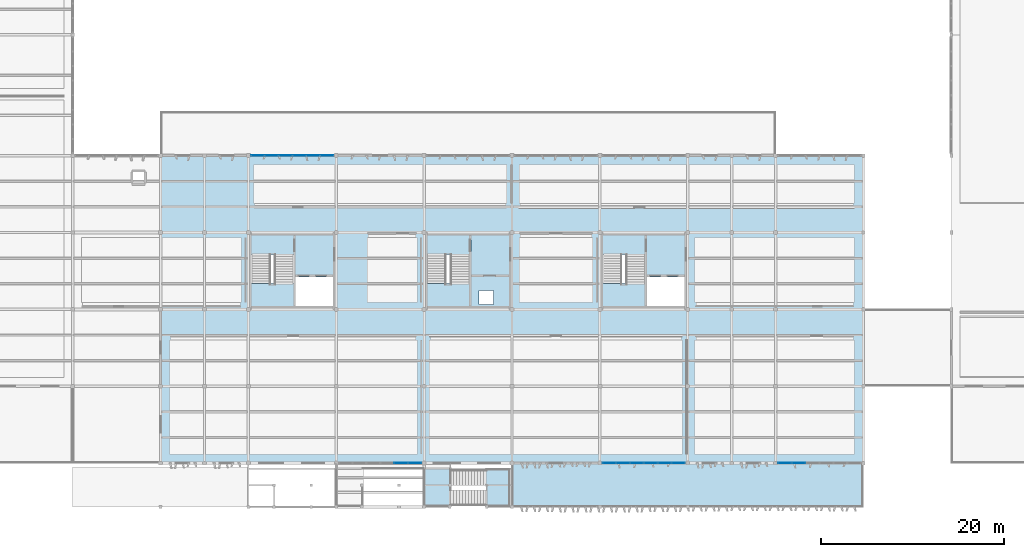
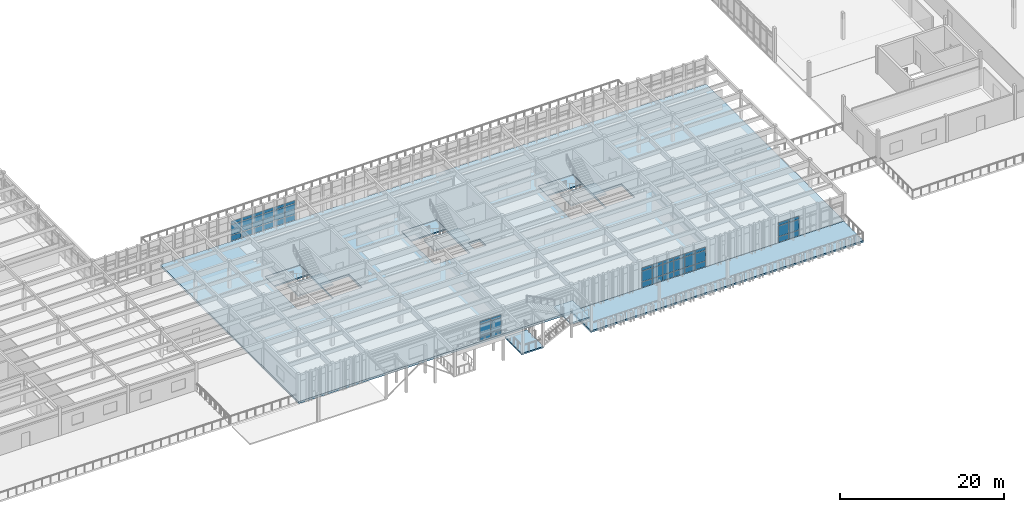
# One storey, part 31 of 61: 48 plates, 10 slabs, 8 elements without a shape of their own.
"""IFC4 building model written with IfcOpenShell, lengths in metres."""

from ifc_helpers import new_model, si_unit, direction, frame, origin, origin_2d, place, context, subcontext, project, spatial, polyline, rectangle, outline, extrude, material, layer, layer_set, type_object, element, aggregate, save


model = new_model("IFC4")

# Units and contexts
model_context = context("Model", 3, precision=1e-05, world=origin(), true_north=direction((0.0, 1.0)))
body_context = subcontext(model_context, "Body", "Model", "MODEL_VIEW")
ifc_project = project(units=[si_unit("LENGTHUNIT", "METRE"), si_unit("AREAUNIT", "SQUARE_METRE"), si_unit("VOLUMEUNIT", "CUBIC_METRE"), si_unit("PLANEANGLEUNIT", "RADIAN"), si_unit("MASSUNIT", "GRAM", prefix="KILO")], contexts=[model_context])

# Site, building, storey
site_placement = place(None, origin())
site = spatial("IfcSite", under=ifc_project, at=site_placement, CompositionType="ELEMENT")
building_placement = place(site_placement, origin())
building = spatial("IfcBuilding", under=site, at=building_placement, Name="Kolvemor Railside Polytechnic", CompositionType="ELEMENT")
storey_placement = place(building_placement, frame((0.0, 0.0, 10.199951171875)))
storey = spatial("IfcBuildingStorey", under=building, at=storey_placement, Name="L02", CompositionType="ELEMENT", Elevation=10.199951171875)

# Curtain wall, plates
ifc_material_1 = material(Name="Anodised marine aluminium and laminated low-E glass", Category="aluminium")
ifc_layer_1 = layer(ifc_material_1, 0.179931640625, Name="CW-UNIT-STD")
ifc_layer_set_1 = layer_set([ifc_layer_1], Name="Anodised marine aluminium and laminated low-E glass")
curtain_wall_type = type_object("IfcCurtainWallType", Name="CW-UNIT-STD", PredefinedType="USERDEFINED", material=ifc_layer_set_1)
curtain_wall_1_placement = place(storey_placement, origin())
curtain_wall_1 = element("IfcCurtainWall", 1, at=curtain_wall_1_placement, inside=storey, type_object=curtain_wall_type, Name="Curtain Wall L02-098", ObjectType="UNITISED CURTAIN WALL", PredefinedType="USERDEFINED")
ifc_material_2 = material(Name="Hurricane-laminated solar-control low-E glass", Category="glass")
ifc_layer_2 = layer(ifc_material_2, 0.033935546875, Name="CWP-GLZ-07")
ifc_layer_set_2 = layer_set([ifc_layer_2], Name="Hurricane-laminated solar-control low-E glass")
plate_type_1 = type_object("IfcPlateType", Name="CWP-GLZ-07", PredefinedType="CURTAIN_PANEL", material=ifc_layer_set_2)
plate_1_placement = place(storey_placement, frame((83.8798828125, 4.800048828125, 0.074951171875), z_axis=(0.0, 0.0, 1.0), x_axis=(1.0, 0.0, 0.0)))
plate_1 = element("IfcPlate", 2, at=plate_1_placement, type_object=plate_type_1, Name="CW-STD panel 5.1", PredefinedType="CURTAIN_PANEL", context=body_context, shape_type="SweptSolid", body=[
    extrude(rectangle(XDim=1.445068359375, YDim=0.033935546875, at=origin_2d()), origin(), (0.0, 0.0, 1.0), 0.78759765625),
])
plate_2_placement = place(storey_placement, frame((83.8798828125, 4.800048828125, 0.9375), z_axis=(0.0, 0.0, 1.0), x_axis=(1.0, 0.0, 0.0)))
plate_2 = element("IfcPlate", 3, at=plate_2_placement, type_object=plate_type_1, Name="CW-STD panel 5.2", PredefinedType="CURTAIN_PANEL", context=body_context, shape_type="SweptSolid", body=[
    extrude(rectangle(XDim=1.445068359375, YDim=0.033935546875, at=origin_2d()), origin(), (0.0, 0.0, 1.0), 1.52490234375),
])
plate_3_placement = place(storey_placement, frame((83.8798828125, 4.800048828125, 2.53759765625), z_axis=(0.0, 0.0, 1.0), x_axis=(1.0, 0.0, 0.0)))
plate_3 = element("IfcPlate", 4, at=plate_3_placement, type_object=plate_type_1, Name="CW-STD panel 5.3", PredefinedType="CURTAIN_PANEL", context=body_context, shape_type="SweptSolid", body=[
    extrude(rectangle(XDim=1.445068359375, YDim=0.033935546875, at=origin_2d()), origin(), (0.0, 0.0, 1.0), 0.4375),
])
plate_4_placement = place(storey_placement, frame((85.38134765625, 4.800048828125, 0.074951171875), z_axis=(0.0, 0.0, 1.0), x_axis=(1.0, 0.0, 0.0)))
plate_4 = element("IfcPlate", 5, at=plate_4_placement, type_object=plate_type_1, Name="CW-STD panel 6.1", PredefinedType="CURTAIN_PANEL", context=body_context, shape_type="SweptSolid", body=[
    extrude(rectangle(XDim=1.407470703125, YDim=0.033935546875, at=origin_2d()), origin(), (0.0, 0.0, 1.0), 0.78759765625),
])
plate_5_placement = place(storey_placement, frame((85.38134765625, 4.800048828125, 0.9375), z_axis=(0.0, 0.0, 1.0), x_axis=(1.0, 0.0, 0.0)))
plate_5 = element("IfcPlate", 6, at=plate_5_placement, type_object=plate_type_1, Name="CW-STD panel 6.2", PredefinedType="CURTAIN_PANEL", context=body_context, shape_type="SweptSolid", body=[
    extrude(rectangle(XDim=1.407470703125, YDim=0.033935546875, at=origin_2d()), origin(), (0.0, 0.0, 1.0), 1.52490234375),
])
plate_6_placement = place(storey_placement, frame((85.38134765625, 4.800048828125, 2.53759765625), z_axis=(0.0, 0.0, 1.0), x_axis=(1.0, 0.0, 0.0)))
plate_6 = element("IfcPlate", 7, at=plate_6_placement, type_object=plate_type_1, Name="CW-STD panel 6.3", PredefinedType="CURTAIN_PANEL", context=body_context, shape_type="SweptSolid", body=[
    extrude(rectangle(XDim=1.407470703125, YDim=0.033935546875, at=origin_2d()), origin(), (0.0, 0.0, 1.0), 0.4375),
])
aggregate(curtain_wall_1, [plate_1, plate_2, plate_3, plate_4, plate_5, plate_6])

curtain_wall_2_placement = place(storey_placement, origin())
curtain_wall_2 = element("IfcCurtainWall", 8, at=curtain_wall_2_placement, inside=storey, type_object=curtain_wall_type, Name="Curtain Wall L02-121", ObjectType="UNITISED CURTAIN WALL", PredefinedType="USERDEFINED")
plate_7_placement = place(storey_placement, frame((75.78369140625, 38.39990234375, 0.06494140625), z_axis=(0.0, 0.0, 1.0), x_axis=(-1.0, 0.0, 0.0)))
plate_7 = element("IfcPlate", 9, at=plate_7_placement, type_object=plate_type_1, Name="CW-STD panel 1.1", PredefinedType="CURTAIN_PANEL", context=body_context, shape_type="SweptSolid", body=[
    extrude(rectangle(XDim=1.422607421875, YDim=0.033935546875, at=origin_2d()), origin(), (0.0, 0.0, 1.0), 0.802490234375),
])
plate_8_placement = place(storey_placement, frame((75.78369140625, 38.39990234375, 0.9326171875), z_axis=(0.0, 0.0, 1.0), x_axis=(-1.0, 0.0, 0.0)))
plate_8 = element("IfcPlate", 10, at=plate_8_placement, type_object=plate_type_1, Name="CW-STD panel 1.2", PredefinedType="CURTAIN_PANEL", context=body_context, shape_type="SweptSolid", body=[
    extrude(rectangle(XDim=1.422607421875, YDim=0.033935546875, at=origin_2d()), origin(), (0.0, 0.0, 1.0), 1.534912109375),
])
plate_9_placement = place(storey_placement, frame((75.78369140625, 38.39990234375, 2.53271484375), z_axis=(0.0, 0.0, 1.0), x_axis=(-1.0, 0.0, 0.0)))
plate_9 = element("IfcPlate", 11, at=plate_9_placement, type_object=plate_type_1, Name="CW-STD panel 1.3", PredefinedType="CURTAIN_PANEL", context=body_context, shape_type="SweptSolid", body=[
    extrude(rectangle(XDim=1.422607421875, YDim=0.033935546875, at=origin_2d()), origin(), (0.0, 0.0, 1.0), 0.452392578125),
])
plate_10_placement = place(storey_placement, frame((74.280029296875, 38.39990234375, 0.06494140625), z_axis=(0.0, 0.0, 1.0), x_axis=(-1.0, 0.0, 0.0)))
plate_10 = element("IfcPlate", 12, at=plate_10_placement, type_object=plate_type_1, Name="CW-STD panel 2.1", PredefinedType="CURTAIN_PANEL", context=body_context, shape_type="SweptSolid", body=[
    extrude(rectangle(XDim=1.455078125, YDim=0.033935546875, at=origin_2d()), origin(), (0.0, 0.0, 1.0), 0.802490234375),
])
plate_11_placement = place(storey_placement, frame((74.280029296875, 38.39990234375, 0.9326171875), z_axis=(0.0, 0.0, 1.0), x_axis=(-1.0, 0.0, 0.0)))
plate_11 = element("IfcPlate", 13, at=plate_11_placement, type_object=plate_type_1, Name="CW-STD panel 2.2", PredefinedType="CURTAIN_PANEL", context=body_context, shape_type="SweptSolid", body=[
    extrude(rectangle(XDim=1.455078125, YDim=0.033935546875, at=origin_2d()), origin(), (0.0, 0.0, 1.0), 1.534912109375),
])
plate_12_placement = place(storey_placement, frame((74.280029296875, 38.39990234375, 2.53271484375), z_axis=(0.0, 0.0, 1.0), x_axis=(-1.0, 0.0, 0.0)))
plate_12 = element("IfcPlate", 14, at=plate_12_placement, type_object=plate_type_1, Name="CW-STD panel 2.3", PredefinedType="CURTAIN_PANEL", context=body_context, shape_type="SweptSolid", body=[
    extrude(rectangle(XDim=1.455078125, YDim=0.033935546875, at=origin_2d()), origin(), (0.0, 0.0, 1.0), 0.452392578125),
])
plate_13_placement = place(storey_placement, frame((72.760009765625, 38.39990234375, 0.06494140625), z_axis=(0.0, 0.0, 1.0), x_axis=(-1.0, 0.0, 0.0)))
plate_13 = element("IfcPlate", 15, at=plate_13_placement, type_object=plate_type_1, Name="CW-STD panel 3.1", PredefinedType="CURTAIN_PANEL", context=body_context, shape_type="SweptSolid", body=[
    extrude(rectangle(XDim=1.455078125, YDim=0.033935546875, at=origin_2d()), origin(), (0.0, 0.0, 1.0), 0.802490234375),
])
plate_14_placement = place(storey_placement, frame((72.760009765625, 38.39990234375, 0.9326171875), z_axis=(0.0, 0.0, 1.0), x_axis=(-1.0, 0.0, 0.0)))
plate_14 = element("IfcPlate", 16, at=plate_14_placement, type_object=plate_type_1, Name="CW-STD panel 3.2", PredefinedType="CURTAIN_PANEL", context=body_context, shape_type="SweptSolid", body=[
    extrude(rectangle(XDim=1.455078125, YDim=0.033935546875, at=origin_2d()), origin(), (0.0, 0.0, 1.0), 1.534912109375),
])
plate_15_placement = place(storey_placement, frame((72.760009765625, 38.39990234375, 2.53271484375), z_axis=(0.0, 0.0, 1.0), x_axis=(-1.0, 0.0, 0.0)))
plate_15 = element("IfcPlate", 17, at=plate_15_placement, type_object=plate_type_1, Name="CW-STD panel 3.3", PredefinedType="CURTAIN_PANEL", context=body_context, shape_type="SweptSolid", body=[
    extrude(rectangle(XDim=1.455078125, YDim=0.033935546875, at=origin_2d()), origin(), (0.0, 0.0, 1.0), 0.452392578125),
])
plate_16_placement = place(storey_placement, frame((71.239990234375, 38.39990234375, 0.06494140625), z_axis=(0.0, 0.0, 1.0), x_axis=(-1.0, 0.0, 0.0)))
plate_16 = element("IfcPlate", 18, at=plate_16_placement, type_object=plate_type_1, Name="CW-STD panel 4.1", PredefinedType="CURTAIN_PANEL", context=body_context, shape_type="SweptSolid", body=[
    extrude(rectangle(XDim=1.455078125, YDim=0.033935546875, at=origin_2d()), origin(), (0.0, 0.0, 1.0), 0.802490234375),
])
plate_17_placement = place(storey_placement, frame((71.239990234375, 38.39990234375, 0.9326171875), z_axis=(0.0, 0.0, 1.0), x_axis=(-1.0, 0.0, 0.0)))
plate_17 = element("IfcPlate", 19, at=plate_17_placement, type_object=plate_type_1, Name="CW-STD panel 4.2", PredefinedType="CURTAIN_PANEL", context=body_context, shape_type="SweptSolid", body=[
    extrude(rectangle(XDim=1.455078125, YDim=0.033935546875, at=origin_2d()), origin(), (0.0, 0.0, 1.0), 1.534912109375),
])
plate_18_placement = place(storey_placement, frame((71.239990234375, 38.39990234375, 2.53271484375), z_axis=(0.0, 0.0, 1.0), x_axis=(-1.0, 0.0, 0.0)))
plate_18 = element("IfcPlate", 20, at=plate_18_placement, type_object=plate_type_1, Name="CW-STD panel 4.3", PredefinedType="CURTAIN_PANEL", context=body_context, shape_type="SweptSolid", body=[
    extrude(rectangle(XDim=1.455078125, YDim=0.033935546875, at=origin_2d()), origin(), (0.0, 0.0, 1.0), 0.452392578125),
])
plate_19_placement = place(storey_placement, frame((69.719970703125, 38.39990234375, 0.06494140625), z_axis=(0.0, 0.0, 1.0), x_axis=(-1.0, 0.0, 0.0)))
plate_19 = element("IfcPlate", 21, at=plate_19_placement, type_object=plate_type_1, Name="CW-STD panel 5.1", PredefinedType="CURTAIN_PANEL", context=body_context, shape_type="SweptSolid", body=[
    extrude(rectangle(XDim=1.455078125, YDim=0.033935546875, at=origin_2d()), origin(), (0.0, 0.0, 1.0), 0.802490234375),
])
plate_20_placement = place(storey_placement, frame((69.719970703125, 38.39990234375, 0.9326171875), z_axis=(0.0, 0.0, 1.0), x_axis=(-1.0, 0.0, 0.0)))
plate_20 = element("IfcPlate", 22, at=plate_20_placement, type_object=plate_type_1, Name="CW-STD panel 5.2", PredefinedType="CURTAIN_PANEL", context=body_context, shape_type="SweptSolid", body=[
    extrude(rectangle(XDim=1.455078125, YDim=0.033935546875, at=origin_2d()), origin(), (0.0, 0.0, 1.0), 1.534912109375),
])
plate_21_placement = place(storey_placement, frame((69.719970703125, 38.39990234375, 2.53271484375), z_axis=(0.0, 0.0, 1.0), x_axis=(-1.0, 0.0, 0.0)))
plate_21 = element("IfcPlate", 23, at=plate_21_placement, type_object=plate_type_1, Name="CW-STD panel 5.3", PredefinedType="CURTAIN_PANEL", context=body_context, shape_type="SweptSolid", body=[
    extrude(rectangle(XDim=1.455078125, YDim=0.033935546875, at=origin_2d()), origin(), (0.0, 0.0, 1.0), 0.452392578125),
])
plate_22_placement = place(storey_placement, frame((68.21630859375, 38.39990234375, 0.06494140625), z_axis=(0.0, 0.0, 1.0), x_axis=(-1.0, 0.0, 0.0)))
plate_22 = element("IfcPlate", 24, at=plate_22_placement, type_object=plate_type_1, Name="CW-STD panel 6.1", PredefinedType="CURTAIN_PANEL", context=body_context, shape_type="SweptSolid", body=[
    extrude(rectangle(XDim=1.422607421875, YDim=0.033935546875, at=origin_2d()), origin(), (0.0, 0.0, 1.0), 0.802490234375),
])
plate_23_placement = place(storey_placement, frame((68.21630859375, 38.39990234375, 0.9326171875), z_axis=(0.0, 0.0, 1.0), x_axis=(-1.0, 0.0, 0.0)))
plate_23 = element("IfcPlate", 25, at=plate_23_placement, type_object=plate_type_1, Name="CW-STD panel 6.2", PredefinedType="CURTAIN_PANEL", context=body_context, shape_type="SweptSolid", body=[
    extrude(rectangle(XDim=1.422607421875, YDim=0.033935546875, at=origin_2d()), origin(), (0.0, 0.0, 1.0), 1.534912109375),
])
plate_24_placement = place(storey_placement, frame((68.21630859375, 38.39990234375, 2.53271484375), z_axis=(0.0, 0.0, 1.0), x_axis=(-1.0, 0.0, 0.0)))
plate_24 = element("IfcPlate", 26, at=plate_24_placement, type_object=plate_type_1, Name="CW-STD panel 6.3", PredefinedType="CURTAIN_PANEL", context=body_context, shape_type="SweptSolid", body=[
    extrude(rectangle(XDim=1.422607421875, YDim=0.033935546875, at=origin_2d()), origin(), (0.0, 0.0, 1.0), 0.452392578125),
])
aggregate(curtain_wall_2, [plate_7, plate_8, plate_9, plate_10, plate_11, plate_12, plate_13, plate_14, plate_15, plate_16, plate_17, plate_18, plate_19, plate_20, plate_21, plate_22, plate_23, plate_24])

curtain_wall_3_placement = place(storey_placement, origin())
curtain_wall_3 = element("IfcCurtainWall", 27, at=curtain_wall_3_placement, inside=storey, type_object=curtain_wall_type, Name="Curtain Wall L02-099", ObjectType="UNITISED CURTAIN WALL", PredefinedType="USERDEFINED")
ifc_material_3 = material(Name="Hurricane-laminated solar-control low-E glass", Category="glass")
ifc_layer_3 = layer(ifc_material_3, 0.0400390625, Name="CWP-GLZ-10")
ifc_layer_set_3 = layer_set([ifc_layer_3], Name="Hurricane-laminated solar-control low-E glass")
plate_type_2 = type_object("IfcPlateType", Name="CWP-GLZ-10", PredefinedType="CURTAIN_PANEL", material=ifc_layer_set_3)
plate_25_placement = place(storey_placement, frame((106.61865234375, 4.800048828125, 0.074951171875), z_axis=(0.0, 0.0, 1.0), x_axis=(1.0, 0.0, 0.0)))
plate_25 = element("IfcPlate", 28, at=plate_25_placement, type_object=plate_type_2, Name="CW-STD panel 1.1", PredefinedType="CURTAIN_PANEL", context=body_context, shape_type="SweptSolid", body=[
    extrude(rectangle(XDim=1.407470703125, YDim=0.0400390625, at=origin_2d()), origin(), (0.0, 0.0, 1.0), 0.78759765625),
])
plate_26_placement = place(storey_placement, frame((106.61865234375, 4.800048828125, 0.9375), z_axis=(0.0, 0.0, 1.0), x_axis=(1.0, 0.0, 0.0)))
plate_26 = element("IfcPlate", 29, at=plate_26_placement, type_object=plate_type_2, Name="CW-STD panel 1.2", PredefinedType="CURTAIN_PANEL", context=body_context, shape_type="SweptSolid", body=[
    extrude(rectangle(XDim=1.407470703125, YDim=0.0400390625, at=origin_2d()), origin(), (0.0, 0.0, 1.0), 1.52490234375),
])
plate_27_placement = place(storey_placement, frame((106.61865234375, 4.800048828125, 2.53759765625), z_axis=(0.0, 0.0, 1.0), x_axis=(1.0, 0.0, 0.0)))
plate_27 = element("IfcPlate", 30, at=plate_27_placement, type_object=plate_type_2, Name="CW-STD panel 1.3", PredefinedType="CURTAIN_PANEL", context=body_context, shape_type="SweptSolid", body=[
    extrude(rectangle(XDim=1.407470703125, YDim=0.0400390625, at=origin_2d()), origin(), (0.0, 0.0, 1.0), 0.4375),
])
plate_28_placement = place(storey_placement, frame((108.1201171875, 4.800048828125, 0.074951171875), z_axis=(0.0, 0.0, 1.0), x_axis=(1.0, 0.0, 0.0)))
plate_28 = element("IfcPlate", 31, at=plate_28_placement, type_object=plate_type_2, Name="CW-STD panel 2.1", PredefinedType="CURTAIN_PANEL", context=body_context, shape_type="SweptSolid", body=[
    extrude(rectangle(XDim=1.445068359375, YDim=0.0400390625, at=origin_2d()), origin(), (0.0, 0.0, 1.0), 0.78759765625),
])
plate_29_placement = place(storey_placement, frame((108.1201171875, 4.800048828125, 0.9375), z_axis=(0.0, 0.0, 1.0), x_axis=(1.0, 0.0, 0.0)))
plate_29 = element("IfcPlate", 32, at=plate_29_placement, type_object=plate_type_2, Name="CW-STD panel 2.2", PredefinedType="CURTAIN_PANEL", context=body_context, shape_type="SweptSolid", body=[
    extrude(rectangle(XDim=1.445068359375, YDim=0.0400390625, at=origin_2d()), origin(), (0.0, 0.0, 1.0), 1.52490234375),
])
plate_30_placement = place(storey_placement, frame((108.1201171875, 4.800048828125, 2.53759765625), z_axis=(0.0, 0.0, 1.0), x_axis=(1.0, 0.0, 0.0)))
plate_30 = element("IfcPlate", 33, at=plate_30_placement, type_object=plate_type_2, Name="CW-STD panel 2.3", PredefinedType="CURTAIN_PANEL", context=body_context, shape_type="SweptSolid", body=[
    extrude(rectangle(XDim=1.445068359375, YDim=0.0400390625, at=origin_2d()), origin(), (0.0, 0.0, 1.0), 0.4375),
])
plate_31_placement = place(storey_placement, frame((109.639892578125, 4.800048828125, 0.074951171875), z_axis=(0.0, 0.0, 1.0), x_axis=(1.0, 0.0, 0.0)))
plate_31 = element("IfcPlate", 34, at=plate_31_placement, type_object=plate_type_2, Name="CW-STD panel 3.1", PredefinedType="CURTAIN_PANEL", context=body_context, shape_type="SweptSolid", body=[
    extrude(rectangle(XDim=1.445068359375, YDim=0.0400390625, at=origin_2d()), origin(), (0.0, 0.0, 1.0), 0.78759765625),
])
plate_32_placement = place(storey_placement, frame((109.639892578125, 4.800048828125, 0.9375), z_axis=(0.0, 0.0, 1.0), x_axis=(1.0, 0.0, 0.0)))
plate_32 = element("IfcPlate", 35, at=plate_32_placement, type_object=plate_type_2, Name="CW-STD panel 3.2", PredefinedType="CURTAIN_PANEL", context=body_context, shape_type="SweptSolid", body=[
    extrude(rectangle(XDim=1.445068359375, YDim=0.0400390625, at=origin_2d()), origin(), (0.0, 0.0, 1.0), 1.52490234375),
])
plate_33_placement = place(storey_placement, frame((109.639892578125, 4.800048828125, 2.53759765625), z_axis=(0.0, 0.0, 1.0), x_axis=(1.0, 0.0, 0.0)))
plate_33 = element("IfcPlate", 36, at=plate_33_placement, type_object=plate_type_2, Name="CW-STD panel 3.3", PredefinedType="CURTAIN_PANEL", context=body_context, shape_type="SweptSolid", body=[
    extrude(rectangle(XDim=1.445068359375, YDim=0.0400390625, at=origin_2d()), origin(), (0.0, 0.0, 1.0), 0.4375),
])
plate_34_placement = place(storey_placement, frame((111.159912109375, 4.800048828125, 0.074951171875), z_axis=(0.0, 0.0, 1.0), x_axis=(1.0, 0.0, 0.0)))
plate_34 = element("IfcPlate", 37, at=plate_34_placement, type_object=plate_type_2, Name="CW-STD panel 4.1", PredefinedType="CURTAIN_PANEL", context=body_context, shape_type="SweptSolid", body=[
    extrude(rectangle(XDim=1.445068359375, YDim=0.0400390625, at=origin_2d()), origin(), (0.0, 0.0, 1.0), 0.78759765625),
])
plate_35_placement = place(storey_placement, frame((111.159912109375, 4.800048828125, 0.9375), z_axis=(0.0, 0.0, 1.0), x_axis=(1.0, 0.0, 0.0)))
plate_35 = element("IfcPlate", 38, at=plate_35_placement, type_object=plate_type_2, Name="CW-STD panel 4.2", PredefinedType="CURTAIN_PANEL", context=body_context, shape_type="SweptSolid", body=[
    extrude(rectangle(XDim=1.445068359375, YDim=0.0400390625, at=origin_2d()), origin(), (0.0, 0.0, 1.0), 1.52490234375),
])
plate_36_placement = place(storey_placement, frame((111.159912109375, 4.800048828125, 2.53759765625), z_axis=(0.0, 0.0, 1.0), x_axis=(1.0, 0.0, 0.0)))
plate_36 = element("IfcPlate", 39, at=plate_36_placement, type_object=plate_type_2, Name="CW-STD panel 4.3", PredefinedType="CURTAIN_PANEL", context=body_context, shape_type="SweptSolid", body=[
    extrude(rectangle(XDim=1.445068359375, YDim=0.0400390625, at=origin_2d()), origin(), (0.0, 0.0, 1.0), 0.4375),
])
plate_37_placement = place(storey_placement, frame((112.679931640625, 4.800048828125, 0.074951171875), z_axis=(0.0, 0.0, 1.0), x_axis=(1.0, 0.0, 0.0)))
plate_37 = element("IfcPlate", 40, at=plate_37_placement, type_object=plate_type_2, Name="CW-STD panel 5.1", PredefinedType="CURTAIN_PANEL", context=body_context, shape_type="SweptSolid", body=[
    extrude(rectangle(XDim=1.445068359375, YDim=0.0400390625, at=origin_2d()), origin(), (0.0, 0.0, 1.0), 0.78759765625),
])
plate_38_placement = place(storey_placement, frame((112.679931640625, 4.800048828125, 0.9375), z_axis=(0.0, 0.0, 1.0), x_axis=(1.0, 0.0, 0.0)))
plate_38 = element("IfcPlate", 41, at=plate_38_placement, type_object=plate_type_2, Name="CW-STD panel 5.2", PredefinedType="CURTAIN_PANEL", context=body_context, shape_type="SweptSolid", body=[
    extrude(rectangle(XDim=1.445068359375, YDim=0.0400390625, at=origin_2d()), origin(), (0.0, 0.0, 1.0), 1.52490234375),
])
plate_39_placement = place(storey_placement, frame((112.679931640625, 4.800048828125, 2.53759765625), z_axis=(0.0, 0.0, 1.0), x_axis=(1.0, 0.0, 0.0)))
plate_39 = element("IfcPlate", 42, at=plate_39_placement, type_object=plate_type_2, Name="CW-STD panel 5.3", PredefinedType="CURTAIN_PANEL", context=body_context, shape_type="SweptSolid", body=[
    extrude(rectangle(XDim=1.445068359375, YDim=0.0400390625, at=origin_2d()), origin(), (0.0, 0.0, 1.0), 0.4375),
])
plate_40_placement = place(storey_placement, frame((114.18115234375, 4.800048828125, 0.074951171875), z_axis=(0.0, 0.0, 1.0), x_axis=(1.0, 0.0, 0.0)))
plate_40 = element("IfcPlate", 43, at=plate_40_placement, type_object=plate_type_2, Name="CW-STD panel 6.1", PredefinedType="CURTAIN_PANEL", context=body_context, shape_type="SweptSolid", body=[
    extrude(rectangle(XDim=1.407470703125, YDim=0.0400390625, at=origin_2d()), origin(), (0.0, 0.0, 1.0), 0.78759765625),
])
plate_41_placement = place(storey_placement, frame((114.18115234375, 4.800048828125, 0.9375), z_axis=(0.0, 0.0, 1.0), x_axis=(1.0, 0.0, 0.0)))
plate_41 = element("IfcPlate", 44, at=plate_41_placement, type_object=plate_type_2, Name="CW-STD panel 6.2", PredefinedType="CURTAIN_PANEL", context=body_context, shape_type="SweptSolid", body=[
    extrude(rectangle(XDim=1.407470703125, YDim=0.0400390625, at=origin_2d()), origin(), (0.0, 0.0, 1.0), 1.52490234375),
])
plate_42_placement = place(storey_placement, frame((114.18115234375, 4.800048828125, 2.53759765625), z_axis=(0.0, 0.0, 1.0), x_axis=(1.0, 0.0, 0.0)))
plate_42 = element("IfcPlate", 45, at=plate_42_placement, type_object=plate_type_2, Name="CW-STD panel 6.3", PredefinedType="CURTAIN_PANEL", context=body_context, shape_type="SweptSolid", body=[
    extrude(rectangle(XDim=1.407470703125, YDim=0.0400390625, at=origin_2d()), origin(), (0.0, 0.0, 1.0), 0.4375),
])
aggregate(curtain_wall_3, [plate_25, plate_26, plate_27, plate_28, plate_29, plate_30, plate_31, plate_32, plate_33, plate_34, plate_35, plate_36, plate_37, plate_38, plate_39, plate_40, plate_41, plate_42])

curtain_wall_4_placement = place(storey_placement, origin())
curtain_wall_4 = element("IfcCurtainWall", 46, at=curtain_wall_4_placement, inside=storey, type_object=curtain_wall_type, Name="Curtain Wall L02-100", ObjectType="UNITISED CURTAIN WALL", PredefinedType="USERDEFINED")
ifc_material_4 = material(Name="Hurricane-laminated solar-control low-E glass", Category="glass")
ifc_layer_4 = layer(ifc_material_4, 0.0458984375, Name="CWP-GLZ-13")
ifc_layer_set_4 = layer_set([ifc_layer_4], Name="Hurricane-laminated solar-control low-E glass")
plate_type_3 = type_object("IfcPlateType", Name="CWP-GLZ-13", PredefinedType="CURTAIN_PANEL", material=ifc_layer_set_4)
plate_43_placement = place(storey_placement, frame((125.81884765625, 4.800048828125, 0.074951171875), z_axis=(0.0, 0.0, 1.0), x_axis=(1.0, 0.0, 0.0)))
plate_43 = element("IfcPlate", 47, at=plate_43_placement, type_object=plate_type_3, Name="CW-STD panel 1.1", PredefinedType="CURTAIN_PANEL", context=body_context, shape_type="SweptSolid", body=[
    extrude(rectangle(XDim=1.407470703125, YDim=0.0458984375, at=origin_2d()), origin(), (0.0, 0.0, 1.0), 0.78759765625),
])
plate_44_placement = place(storey_placement, frame((125.81884765625, 4.800048828125, 0.9375), z_axis=(0.0, 0.0, 1.0), x_axis=(1.0, 0.0, 0.0)))
plate_44 = element("IfcPlate", 48, at=plate_44_placement, type_object=plate_type_3, Name="CW-STD panel 1.2", PredefinedType="CURTAIN_PANEL", context=body_context, shape_type="SweptSolid", body=[
    extrude(rectangle(XDim=1.407470703125, YDim=0.0458984375, at=origin_2d()), origin(), (0.0, 0.0, 1.0), 1.52490234375),
])
plate_45_placement = place(storey_placement, frame((125.81884765625, 4.800048828125, 2.53759765625), z_axis=(0.0, 0.0, 1.0), x_axis=(1.0, 0.0, 0.0)))
plate_45 = element("IfcPlate", 49, at=plate_45_placement, type_object=plate_type_3, Name="CW-STD panel 1.3", PredefinedType="CURTAIN_PANEL", context=body_context, shape_type="SweptSolid", body=[
    extrude(rectangle(XDim=1.407470703125, YDim=0.0458984375, at=origin_2d()), origin(), (0.0, 0.0, 1.0), 0.4375),
])
plate_46_placement = place(storey_placement, frame((127.320068359375, 4.800048828125, 0.074951171875), z_axis=(0.0, 0.0, 1.0), x_axis=(1.0, 0.0, 0.0)))
plate_46 = element("IfcPlate", 50, at=plate_46_placement, type_object=plate_type_3, Name="CW-STD panel 2.1", PredefinedType="CURTAIN_PANEL", context=body_context, shape_type="SweptSolid", body=[
    extrude(rectangle(XDim=1.445068359375, YDim=0.0458984375, at=origin_2d()), origin(), (0.0, 0.0, 1.0), 0.78759765625),
])
plate_47_placement = place(storey_placement, frame((127.320068359375, 4.800048828125, 0.9375), z_axis=(0.0, 0.0, 1.0), x_axis=(1.0, 0.0, 0.0)))
plate_47 = element("IfcPlate", 51, at=plate_47_placement, type_object=plate_type_3, Name="CW-STD panel 2.2", PredefinedType="CURTAIN_PANEL", context=body_context, shape_type="SweptSolid", body=[
    extrude(rectangle(XDim=1.445068359375, YDim=0.0458984375, at=origin_2d()), origin(), (0.0, 0.0, 1.0), 1.52490234375),
])
plate_48_placement = place(storey_placement, frame((127.320068359375, 4.800048828125, 2.53759765625), z_axis=(0.0, 0.0, 1.0), x_axis=(1.0, 0.0, 0.0)))
plate_48 = element("IfcPlate", 52, at=plate_48_placement, type_object=plate_type_3, Name="CW-STD panel 2.3", PredefinedType="CURTAIN_PANEL", context=body_context, shape_type="SweptSolid", body=[
    extrude(rectangle(XDim=1.445068359375, YDim=0.0458984375, at=origin_2d()), origin(), (0.0, 0.0, 1.0), 0.4375),
])
aggregate(curtain_wall_4, [plate_43, plate_44, plate_45, plate_46, plate_47, plate_48])

# Slab
ifc_material_5 = material(Name="Concrete C40/50", Category="concrete")
ifc_layer_5 = layer(ifc_material_5, 0.219970703125, Name="SLB-LND-170")
ifc_layer_set_5 = layer_set([ifc_layer_5], Name="Concrete C40/50")
slab_type_1 = type_object("IfcSlabType", Name="SLB-LND-170", PredefinedType="LANDING", material=ifc_layer_set_5)
slab_1_placement = place(storey_placement, frame((0.0, 0.0, -0.219970703125)))
element("IfcSlab", 53, at=slab_1_placement, inside=storey, type_object=slab_type_1, Name="External Zigzag Stair Departure Landing L02", PredefinedType="LANDING", context=body_context, shape_type="SweptSolid", body=[
    extrude(outline(polyline([(86.300048828125, 0.050048828125), (89.35009765625, 0.050048828125), (89.35009765625, 4.14990234375), (86.300048828125, 4.14990234375), (86.300048828125, 0.050048828125)])), origin(), (0.0, 0.0, 1.0), 0.219970703125),
])

# Stair, slab
ifc_material_6 = material(Name="Steel S355", Category="steel")
stair_type_1 = type_object("IfcStairType", Name="STR-EXT-ZIG", PredefinedType="HALF_TURN_STAIR", material=ifc_material_6)
stair_1_placement = place(storey_placement, origin())
stair_1 = element("IfcStair", 54, at=stair_1_placement, inside=storey, type_object=stair_type_1, Name="External Zigzag Terrace Stair (L02 to L03)", PredefinedType="HALF_TURN_STAIR")
slab_2_placement = place(storey_placement, frame((0.0, 0.0, 1.880126953125)))
slab_2 = element("IfcSlab", 55, at=slab_2_placement, type_object=slab_type_1, Name="ST-EXT-L02 landing 1", PredefinedType="LANDING", context=body_context, shape_type="SweptSolid", body=[
    extrude(outline(polyline([(93.14990234375, 0.050048828125), (95.820068359375, 0.050048828125), (95.820068359375, 4.14990234375), (93.14990234375, 4.14990234375), (93.14990234375, 0.050048828125)])), origin(), (0.0, 0.0, 1.0), 0.219970703125),
])
aggregate(stair_1, [slab_2])

# Slab
ifc_material_7 = material(Name="Concrete C40/50", Category="concrete")
ifc_layer_6 = layer(ifc_material_7, 0.199951171875, Name="SLB-LND-200")
ifc_layer_set_6 = layer_set([ifc_layer_6], Name="Concrete C40/50")
slab_type_2 = type_object("IfcSlabType", Name="SLB-LND-200", PredefinedType="LANDING", material=ifc_layer_set_6)
slab_3_placement = place(storey_placement, frame((0.0, 0.0, -0.199951171875)))
element("IfcSlab", 56, at=slab_3_placement, inside=storey, type_object=slab_type_2, Name="ST-1 Floor Landing L02", PredefinedType="LANDING", context=body_context, shape_type="SweptSolid", body=[
    extrude(outline(polyline([(67.360107421875, 27.60009765625), (72.2900390625, 27.60009765625), (72.2900390625, 29.840087890625), (67.360107421875, 29.840087890625), (67.360107421875, 27.60009765625)])), origin(), (0.0, 0.0, 1.0), 0.199951171875),
])

# Stair, slab
ifc_material_8 = material(Name="Concrete C40/50", Category="concrete")
stair_type_2 = type_object("IfcStairType", Name="STR-CORE-420", PredefinedType="HALF_TURN_STAIR", material=ifc_material_8)
stair_2_placement = place(storey_placement, origin())
stair_2 = element("IfcStair", 57, at=stair_2_placement, inside=storey, type_object=stair_type_2, Name="Core Stair ST-1 (L02 to L03)", PredefinedType="HALF_TURN_STAIR")
slab_4_placement = place(storey_placement, frame((0.0, 0.0, 1.900146484375)))
slab_4 = element("IfcSlab", 58, at=slab_4_placement, type_object=slab_type_2, Name="ST-1-L02 landing 1", PredefinedType="LANDING", context=body_context, shape_type="SweptSolid", body=[
    extrude(outline(polyline([(67.35009765625, 21.75), (72.300048828125, 21.75), (72.300048828125, 24.39990234375), (67.35009765625, 24.39990234375), (67.35009765625, 21.75)])), origin(), (0.0, 0.0, 1.0), 0.199951171875),
])
aggregate(stair_2, [slab_4])

# Slab
slab_5_placement = place(storey_placement, frame((0.0, 0.0, -0.199951171875)))
element("IfcSlab", 59, at=slab_5_placement, inside=storey, type_object=slab_type_2, Name="ST-2 Floor Landing L02", PredefinedType="LANDING", context=body_context, shape_type="SweptSolid", body=[
    extrude(outline(polyline([(105.760009765625, 27.60009765625), (110.68994140625, 27.60009765625), (110.68994140625, 29.840087890625), (105.760009765625, 29.840087890625), (105.760009765625, 27.60009765625)])), origin(), (0.0, 0.0, 1.0), 0.199951171875),
])

# Stair, slab
stair_3_placement = place(storey_placement, origin())
stair_3 = element("IfcStair", 60, at=stair_3_placement, inside=storey, type_object=stair_type_2, Name="Core Stair ST-2 (L02 to L03)", PredefinedType="HALF_TURN_STAIR")
slab_6_placement = place(storey_placement, frame((0.0, 0.0, 1.900146484375)))
slab_6 = element("IfcSlab", 61, at=slab_6_placement, type_object=slab_type_2, Name="ST-2-L02 landing 1", PredefinedType="LANDING", context=body_context, shape_type="SweptSolid", body=[
    extrude(outline(polyline([(105.75, 21.75), (110.699951171875, 21.75), (110.699951171875, 24.39990234375), (105.75, 24.39990234375), (105.75, 21.75)])), origin(), (0.0, 0.0, 1.0), 0.199951171875),
])
aggregate(stair_3, [slab_6])

# Slab
slab_7_placement = place(storey_placement, frame((0.0, 0.0, -0.199951171875)))
element("IfcSlab", 62, at=slab_7_placement, inside=storey, type_object=slab_type_2, Name="ST-3 Floor Landing L02", PredefinedType="LANDING", context=body_context, shape_type="SweptSolid", body=[
    extrude(outline(polyline([(86.56005859375, 27.60009765625), (91.489990234375, 27.60009765625), (91.489990234375, 29.840087890625), (86.56005859375, 29.840087890625), (86.56005859375, 27.60009765625)])), origin(), (0.0, 0.0, 1.0), 0.199951171875),
])

# Stair, slab
stair_4_placement = place(storey_placement, origin())
stair_4 = element("IfcStair", 63, at=stair_4_placement, inside=storey, type_object=stair_type_2, Name="Core Stair ST-3 (L02 to L03)", PredefinedType="HALF_TURN_STAIR")
slab_8_placement = place(storey_placement, frame((0.0, 0.0, 1.900146484375)))
slab_8 = element("IfcSlab", 64, at=slab_8_placement, type_object=slab_type_2, Name="ST-3-L02 landing 1", PredefinedType="LANDING", context=body_context, shape_type="SweptSolid", body=[
    extrude(outline(polyline([(86.550048828125, 21.75), (91.5, 21.75), (91.5, 24.39990234375), (86.550048828125, 24.39990234375), (86.550048828125, 21.75)])), origin(), (0.0, 0.0, 1.0), 0.199951171875),
])
aggregate(stair_4, [slab_8])

# Slabs
ifc_material_9 = material(Name="Concrete C40/50", Category="concrete")
ifc_layer_7 = layer(ifc_material_9, 0.320068359375, Name="SLB-POD-SEP")
ifc_layer_set_7 = layer_set([ifc_layer_7], Name="Concrete C40/50")
slab_type_3 = type_object("IfcSlabType", Name="SLB-POD-SEP", PredefinedType="FLOOR", material=ifc_layer_set_7)
slab_9_placement = place(storey_placement, frame((0.0, 0.0, -0.320068359375)))
element("IfcSlab", 65, at=slab_9_placement, inside=storey, type_object=slab_type_3, Name="V2 Podium Separation Slab L02-70", PredefinedType="FLOOR", context=body_context, shape_type="SweptSolid", body=[
    extrude(outline(polyline([(57.60009765625, 4.800048828125), (134.39990234375, 4.800048828125), (134.39990234375, 38.39990234375), (57.60009765625, 38.39990234375), (57.60009765625, 4.800048828125)]), holes=[polyline([(67.340087890625, 21.739990234375), (72.31005859375, 21.739990234375), (72.31005859375, 29.860107421875), (67.340087890625, 29.860107421875), (67.340087890625, 21.739990234375)]), polyline([(72.35009765625, 21.949951171875), (76.449951171875, 21.949951171875), (76.449951171875, 25.14990234375), (72.35009765625, 25.14990234375), (72.35009765625, 21.949951171875)]), polyline([(105.739990234375, 21.739990234375), (110.7099609375, 21.739990234375), (110.7099609375, 29.860107421875), (105.739990234375, 29.860107421875), (105.739990234375, 21.739990234375)]), polyline([(110.75, 21.949951171875), (114.85009765625, 21.949951171875), (114.85009765625, 25.14990234375), (110.75, 25.14990234375), (110.75, 21.949951171875)]), polyline([(86.5400390625, 21.739990234375), (91.510009765625, 21.739990234375), (91.510009765625, 29.860107421875), (86.5400390625, 29.860107421875), (86.5400390625, 21.739990234375)]), polyline([(92.39990234375, 22.14990234375), (94.0, 22.14990234375), (94.0, 23.64990234375), (92.39990234375, 23.64990234375), (92.39990234375, 22.14990234375)])]), origin(), (0.0, 0.0, 1.0), 0.320068359375),
])
ifc_material_10 = material(Name="Concrete C40/50", Category="concrete")
ifc_layer_8 = layer(ifc_material_10, 0.25, Name="SLB-TER-250")
ifc_layer_set_8 = layer_set([ifc_layer_8], Name="Concrete C40/50")
slab_type_4 = type_object("IfcSlabType", Name="SLB-TER-250", PredefinedType="FLOOR", material=ifc_layer_set_8)
slab_10_placement = place(storey_placement, frame((0.0, 0.0, -0.25)))
element("IfcSlab", 66, at=slab_10_placement, inside=storey, type_object=slab_type_4, Name="Shifted East Loggia Terrace L02 L02-90", PredefinedType="FLOOR", context=body_context, shape_type="SweptSolid", body=[
    extrude(outline(polyline([(96.0, 0.0), (134.324951171875, 0.0), (134.324951171875, 4.800048828125), (96.0, 4.800048828125), (96.0, 0.0)])), origin(), (0.0, 0.0, 1.0), 0.25),
])

save(model, "model.ifc")
